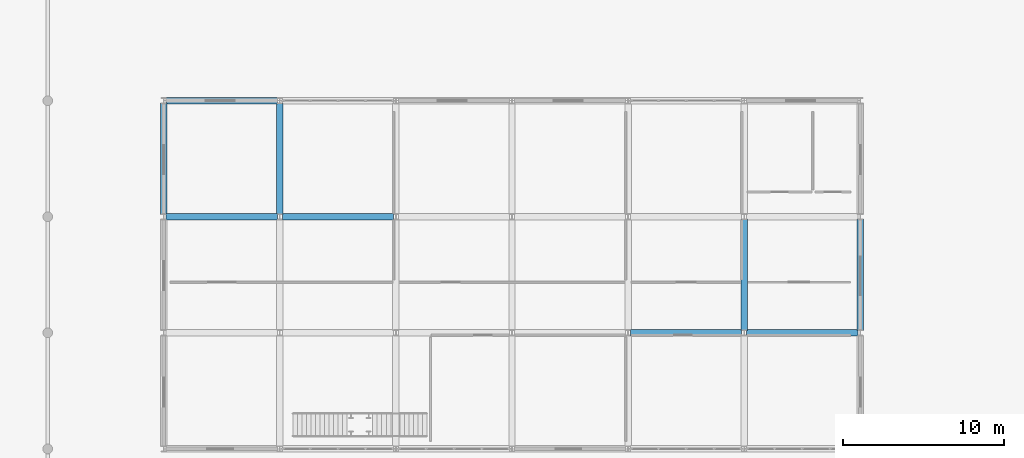
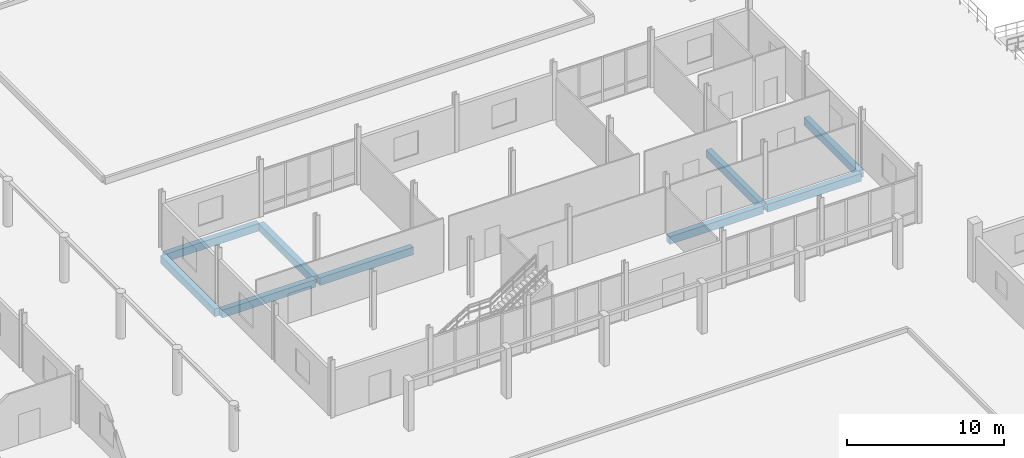
# One storey, part 84 of 139: 9 beams.
"""IFC4 building model written with IfcOpenShell, lengths in metres."""

from ifc_helpers import new_model, si_unit, direction, frame, origin, origin_2d, place, context, subcontext, project, spatial, rectangle, extrude, material, material_profile, profile_set, type_object, element, save


model = new_model("IFC4")

# Units and contexts
model_context = context("Model", 3, precision=1e-05, world=origin(), true_north=direction((0.0, 1.0)))
body_context = subcontext(model_context, "Body", "Model", "MODEL_VIEW")
ifc_project = project(units=[si_unit("LENGTHUNIT", "METRE"), si_unit("AREAUNIT", "SQUARE_METRE"), si_unit("VOLUMEUNIT", "CUBIC_METRE"), si_unit("PLANEANGLEUNIT", "RADIAN"), si_unit("MASSUNIT", "GRAM", prefix="KILO")], contexts=[model_context])

# Site, building, storey
site_placement = place(None, origin())
site = spatial("IfcSite", under=ifc_project, at=site_placement, CompositionType="ELEMENT")
building_placement = place(site_placement, origin())
building = spatial("IfcBuilding", under=site, at=building_placement, Name="Suanplinth Sawtooth Commons", CompositionType="ELEMENT")
storey_placement = place(building_placement, origin())
storey = spatial("IfcBuildingStorey", under=building, at=storey_placement, Name="L00", CompositionType="ELEMENT", Elevation=0.0)

# Beams
ifc_material = material(Name="Precast concrete C40/50", Category="concrete")
ifc_material_profile = material_profile(ifc_material, rectangle(XDim=0.39990234375, YDim=0.60009765625, at=origin_2d()), Name="PC-GDR 400x600")
ifc_profile_set = profile_set([ifc_material_profile], Name="Precast concrete C40/50")
beam_type = type_object("IfcBeamType", Name="B-05", PredefinedType="USERDEFINED", material=ifc_profile_set)
for number, where, z_axis, x_axis, name in (
    (1, (129.75, 64.800048828125, -0.719970703125), (1.0, 0.0, 0.0), (0.0, 1.0, 0.0), "BMX-L00-NURS-18-9"),
    (2, (129.75, 72.0, -0.719970703125), (1.0, 0.0, 0.0), (0.0, 1.0, 0.0), "BMX-L00-NURS-18-10"),
):
    element("IfcBeam", number, at=place(storey_placement, frame(where, z_axis=z_axis, x_axis=x_axis)), inside=storey, type_object=beam_type, Name=name, ObjectType="GIRDER", PredefinedType="USERDEFINED", context=body_context, shape_type="SweptSolid", body=[
        extrude(rectangle(XDim=0.39990234375, YDim=0.60009765625, at=origin_2d()), origin(), (0.0, 0.0, 1.0), 6.89990234375),
    ])
beam_placement = place(storey_placement, frame((136.949951171875, 64.800048828125, -0.719970703125), z_axis=(1.0, 0.0, 0.0), x_axis=(0.0, 1.0, 0.0)))
element("IfcBeam", 3, at=beam_placement, inside=storey, type_object=beam_type, Name="BMX-L00-NURS-19-9", ObjectType="GIRDER", PredefinedType="USERDEFINED", context=body_context, shape_type="SweptSolid", body=[
    extrude(rectangle(XDim=0.39990234375, YDim=0.60009765625, at=origin_2d()), origin(), (0.0, 0.0, 1.0), 6.900146484375),
])
for number, where, z_axis, x_axis, name in (
    (4, (158.550048828125, 57.60009765625, -0.719970703125), (1.0, 0.0, 0.0), (0.0, 1.0, 0.0), "BMX-L00-NURS-22-8"),
    (5, (165.75, 57.60009765625, -0.719970703125), (1.0, 0.0, 0.0), (0.0, 1.0, 0.0), "BMX-L00-NURS-23-8"),
):
    element("IfcBeam", number, at=place(storey_placement, frame(where, z_axis=z_axis, x_axis=x_axis)), inside=storey, type_object=beam_type, Name=name, ObjectType="GIRDER", PredefinedType="USERDEFINED", context=body_context, shape_type="SweptSolid", body=[
        extrude(rectangle(XDim=0.39990234375, YDim=0.60009765625, at=origin_2d()), origin(), (0.0, 0.0, 1.0), 6.89990234375),
    ])
for number, where, z_axis, x_axis, name in (
    (6, (129.60009765625, 64.949951171875, -0.719970703125), (0.0, 1.0, 0.0), (-1.0, 0.0, 0.0), "BMY-L00-NURS-18-9"),
    (7, (136.800048828125, 64.949951171875, -0.719970703125), (0.0, 1.0, 0.0), (-1.0, 0.0, 0.0), "BMY-L00-NURS-19-9"),
):
    element("IfcBeam", number, at=place(storey_placement, frame(where, z_axis=z_axis, x_axis=x_axis)), inside=storey, type_object=beam_type, Name=name, ObjectType="GIRDER", PredefinedType="USERDEFINED", context=body_context, shape_type="SweptSolid", body=[
        extrude(rectangle(XDim=0.39990234375, YDim=0.60009765625, at=origin_2d()), origin(), (0.0, 0.0, 1.0), 6.900146484375),
    ])
for number, where, z_axis, x_axis, name in (
    (8, (165.60009765625, 57.75, -0.719970703125), (0.0, 1.0, 0.0), (-1.0, 0.0, 0.0), "BMY-L00-NURS-23-8"),
    (9, (172.800048828125, 57.75, -0.719970703125), (0.0, 1.0, 0.0), (-1.0, 0.0, 0.0), "BMY-L00-NURS-24-8"),
):
    element("IfcBeam", number, at=place(storey_placement, frame(where, z_axis=z_axis, x_axis=x_axis)), inside=storey, type_object=beam_type, Name=name, ObjectType="GIRDER", PredefinedType="USERDEFINED", context=body_context, shape_type="SweptSolid", body=[
        extrude(rectangle(XDim=0.39990234375, YDim=0.60009765625, at=origin_2d()), origin(), (0.0, 0.0, 1.0), 6.89990234375),
    ])

save(model, "model.ifc")
